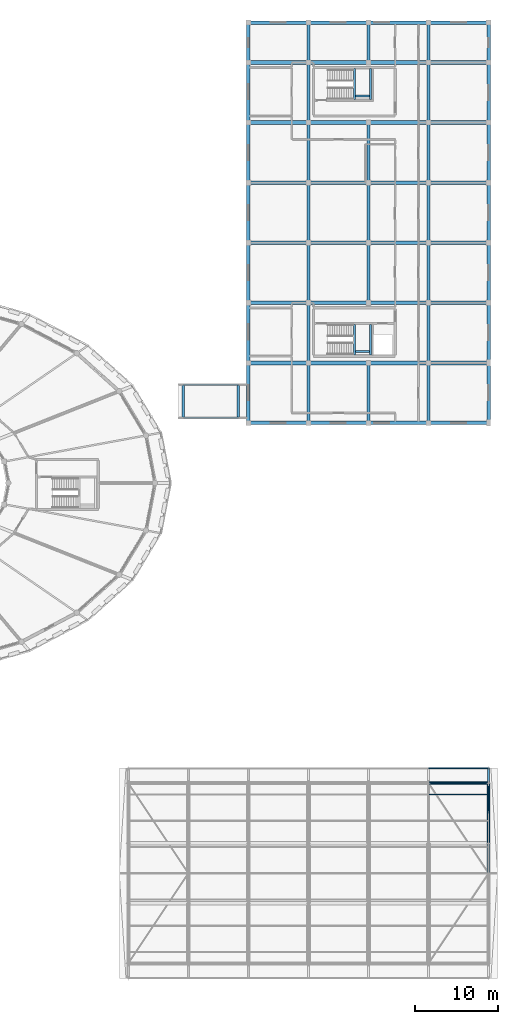
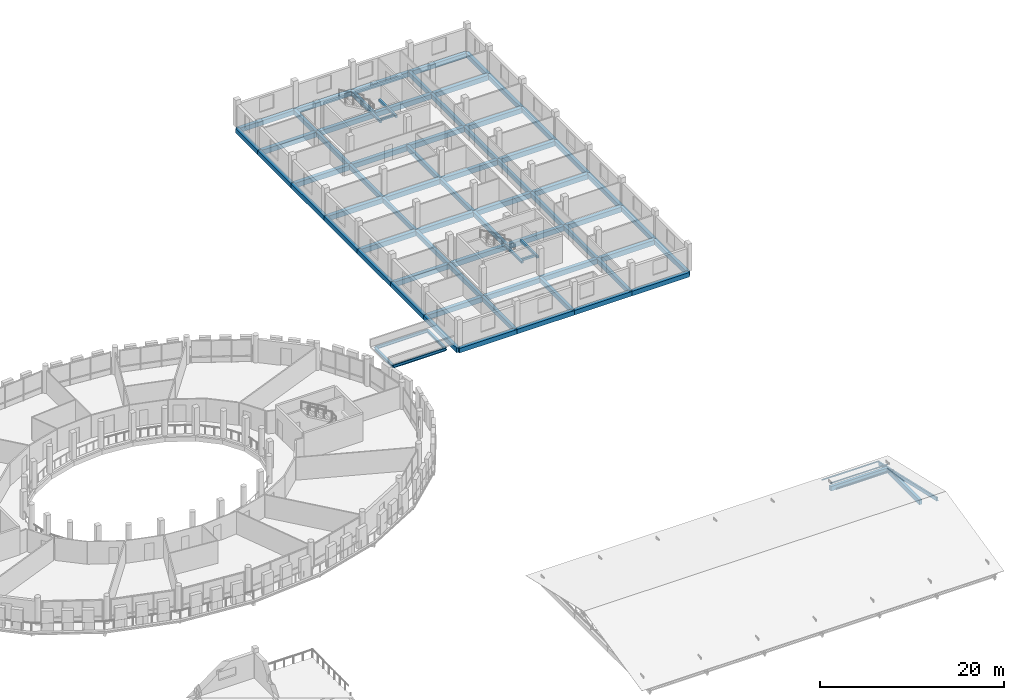
# One storey, part 59 of 93: 77 beams, 5 members.
"""IFC4 building model written with IfcOpenShell, lengths in metres."""

from ifc_helpers import new_model, si_unit, direction, frame, origin, origin_2d, place, context, subcontext, project, spatial, rectangle, hollow_rectangle, hollow_circle, i_section, extrude, material, material_profile, profile_set, type_object, element, save


model = new_model("IFC4")

# Units and contexts
model_context = context("Model", 3, precision=1e-05, world=origin(), true_north=direction((0.0, 1.0)))
body_context = subcontext(model_context, "Body", "Model", "MODEL_VIEW")
ifc_project = project(units=[si_unit("LENGTHUNIT", "METRE"), si_unit("AREAUNIT", "SQUARE_METRE"), si_unit("VOLUMEUNIT", "CUBIC_METRE"), si_unit("PLANEANGLEUNIT", "RADIAN"), si_unit("MASSUNIT", "GRAM", prefix="KILO")], contexts=[model_context])

# Site, building, storey
site_placement = place(None, origin())
site = spatial("IfcSite", under=ifc_project, at=site_placement, CompositionType="ELEMENT")
building_placement = place(site_placement, origin())
building = spatial("IfcBuilding", under=site, at=building_placement, Name="Zornivar Specialist Clinic", CompositionType="ELEMENT")
storey_placement = place(building_placement, frame((0.0, 0.0, 8.39990234375)))
storey = spatial("IfcBuildingStorey", under=building, at=storey_placement, Name="L02", CompositionType="ELEMENT", Elevation=8.39990234375)

# Beams
ifc_material_1 = material(Name="Concrete C30/37", Category="concrete")
ifc_material_profile_1 = material_profile(ifc_material_1, rectangle(XDim=0.25, YDim=0.300048828125, at=origin_2d()), Name="RC 250x300")
ifc_profile_set_1 = profile_set([ifc_material_profile_1], Name="Concrete C30/37")
beam_type_1 = type_object("IfcBeamType", Name="BM-LAND-250x300", PredefinedType="BEAM", material=ifc_profile_set_1)
for number, where, z_axis, x_axis, name in (
    (1, (149.5, 72.929931640625, 1.6201171875), (0.0, 1.0, 0.0), (-1.0, 0.0, 0.0), "bm:stair:C9:L02:lW"),
    (2, (151.4599609375, 72.929931640625, 1.6201171875), (0.0, 1.0, 0.0), (-1.0, 0.0, 0.0), "bm:stair:C9:L02:lE"),
):
    element("IfcBeam", number, at=place(storey_placement, frame(where, z_axis=z_axis, x_axis=x_axis)), inside=storey, type_object=beam_type_1, Name=name, PredefinedType="BEAM", context=body_context, shape_type="SweptSolid", body=[
        extrude(rectangle(XDim=0.25, YDim=0.300048828125, at=origin_2d()), origin(), (0.0, 0.0, 1.0), 3.670166015625),
    ])
beam_1_placement = place(storey_placement, frame((149.635009765625, 73.3798828125, 1.6201171875), z_axis=(1.0, 0.0, 0.0), x_axis=(0.0, 1.0, 0.0)))
element("IfcBeam", 3, at=beam_1_placement, inside=storey, type_object=beam_type_1, Name="bm:stair:C9:L02:lS", PredefinedType="BEAM", context=body_context, shape_type="SweptSolid", body=[
    extrude(rectangle(XDim=0.25, YDim=0.300048828125, at=origin_2d()), origin(), (0.0, 0.0, 1.0), 1.68994140625),
])
for number, where, z_axis, x_axis, name in (
    (4, (149.5, 103.60009765625, 1.6201171875), (0.0, 1.0, 0.0), (-1.0, 0.0, 0.0), "bm:stair:C10:L02:lW"),
    (5, (151.4599609375, 103.60009765625, 1.6201171875), (0.0, 1.0, 0.0), (-1.0, 0.0, 0.0), "bm:stair:C10:L02:lE"),
):
    element("IfcBeam", number, at=place(storey_placement, frame(where, z_axis=z_axis, x_axis=x_axis)), inside=storey, type_object=beam_type_1, Name=name, PredefinedType="BEAM", context=body_context, shape_type="SweptSolid", body=[
        extrude(rectangle(XDim=0.25, YDim=0.300048828125, at=origin_2d()), origin(), (0.0, 0.0, 1.0), 3.669921875),
    ])
beam_2_placement = place(storey_placement, frame((149.635009765625, 103.97998046875, 1.6201171875), z_axis=(1.0, 0.0, 0.0), x_axis=(0.0, 1.0, 0.0)))
element("IfcBeam", 6, at=beam_2_placement, inside=storey, type_object=beam_type_1, Name="bm:stair:C10:L02:lS", PredefinedType="BEAM", context=body_context, shape_type="SweptSolid", body=[
    extrude(rectangle(XDim=0.25, YDim=0.300048828125, at=origin_2d()), origin(), (0.0, 0.0, 1.0), 1.68994140625),
])
ifc_material_2 = material(Name="Concrete C30/37", Category="concrete")
ifc_material_profile_2 = material_profile(ifc_material_2, rectangle(XDim=0.360107421875, YDim=0.60009765625, at=origin_2d()), Name="RC 360x600")
ifc_profile_set_2 = profile_set([ifc_material_profile_2], Name="Concrete C30/37")
beam_type_2 = type_object("IfcBeamType", Name="BM-RC-360x600", PredefinedType="BEAM", material=ifc_profile_set_2)
for number, where, z_axis, x_axis, name in (
    (7, (144.0, 64.800048828125, -0.619873046875), (0.0, 1.0, 0.0), (-1.0, 0.0, 0.0), "bm:V6:L02:y:1440:0"),
    (8, (144.0, 72.0, -0.619873046875), (0.0, 1.0, 0.0), (-1.0, 0.0, 0.0), "bm:V6:L02:y:1440:1"),
    (9, (144.0, 79.199951171875, -0.619873046875), (0.0, 1.0, 0.0), (-1.0, 0.0, 0.0), "bm:V6:L02:y:1440:2"),
):
    element("IfcBeam", number, at=place(storey_placement, frame(where, z_axis=z_axis, x_axis=x_axis)), inside=storey, type_object=beam_type_2, Name=name, PredefinedType="BEAM", context=body_context, shape_type="SweptSolid", body=[
        extrude(rectangle(XDim=0.360107421875, YDim=0.60009765625, at=origin_2d()), origin(), (0.0, 0.0, 1.0), 7.199951171875),
    ])
beam_3_placement = place(storey_placement, frame((144.0, 86.39990234375, -0.619873046875), z_axis=(0.0, 1.0, 0.0), x_axis=(-1.0, 0.0, 0.0)))
element("IfcBeam", 10, at=beam_3_placement, inside=storey, type_object=beam_type_2, Name="bm:V6:L02:y:1440:3", PredefinedType="BEAM", context=body_context, shape_type="SweptSolid", body=[
    extrude(rectangle(XDim=0.360107421875, YDim=0.60009765625, at=origin_2d()), origin(), (0.0, 0.0, 1.0), 7.2001953125),
])
for number, where, z_axis, x_axis, name in (
    (11, (144.0, 93.60009765625, -0.619873046875), (0.0, 1.0, 0.0), (-1.0, 0.0, 0.0), "bm:V6:L02:y:1440:4"),
    (12, (144.0, 100.800048828125, -0.619873046875), (0.0, 1.0, 0.0), (-1.0, 0.0, 0.0), "bm:V6:L02:y:1440:5"),
):
    element("IfcBeam", number, at=place(storey_placement, frame(where, z_axis=z_axis, x_axis=x_axis)), inside=storey, type_object=beam_type_2, Name=name, PredefinedType="BEAM", context=body_context, shape_type="SweptSolid", body=[
        extrude(rectangle(XDim=0.360107421875, YDim=0.60009765625, at=origin_2d()), origin(), (0.0, 0.0, 1.0), 7.199951171875),
    ])
beam_4_placement = place(storey_placement, frame((144.0, 108.0, -0.619873046875), z_axis=(0.0, 1.0, 0.0), x_axis=(-1.0, 0.0, 0.0)))
element("IfcBeam", 13, at=beam_4_placement, inside=storey, type_object=beam_type_2, Name="bm:V6:L02:y:1440:6", PredefinedType="BEAM", context=body_context, shape_type="SweptSolid", body=[
    extrude(rectangle(XDim=0.360107421875, YDim=0.60009765625, at=origin_2d()), origin(), (0.0, 0.0, 1.0), 4.800048828125),
])
for number, where, z_axis, x_axis, name in (
    (14, (151.199951171875, 64.800048828125, -0.619873046875), (0.0, 1.0, 0.0), (-1.0, 0.0, 0.0), "bm:V6:L02:y:1512:0"),
    (15, (151.199951171875, 79.199951171875, -0.619873046875), (0.0, 1.0, 0.0), (-1.0, 0.0, 0.0), "bm:V6:L02:y:1512:2"),
):
    element("IfcBeam", number, at=place(storey_placement, frame(where, z_axis=z_axis, x_axis=x_axis)), inside=storey, type_object=beam_type_2, Name=name, PredefinedType="BEAM", context=body_context, shape_type="SweptSolid", body=[
        extrude(rectangle(XDim=0.360107421875, YDim=0.60009765625, at=origin_2d()), origin(), (0.0, 0.0, 1.0), 7.199951171875),
    ])
beam_5_placement = place(storey_placement, frame((151.199951171875, 86.39990234375, -0.619873046875), z_axis=(0.0, 1.0, 0.0), x_axis=(-1.0, 0.0, 0.0)))
element("IfcBeam", 16, at=beam_5_placement, inside=storey, type_object=beam_type_2, Name="bm:V6:L02:y:1512:3", PredefinedType="BEAM", context=body_context, shape_type="SweptSolid", body=[
    extrude(rectangle(XDim=0.360107421875, YDim=0.60009765625, at=origin_2d()), origin(), (0.0, 0.0, 1.0), 7.2001953125),
])
beam_6_placement = place(storey_placement, frame((151.199951171875, 93.60009765625, -0.619873046875), z_axis=(0.0, 1.0, 0.0), x_axis=(-1.0, 0.0, 0.0)))
element("IfcBeam", 17, at=beam_6_placement, inside=storey, type_object=beam_type_2, Name="bm:V6:L02:y:1512:4", PredefinedType="BEAM", context=body_context, shape_type="SweptSolid", body=[
    extrude(rectangle(XDim=0.360107421875, YDim=0.60009765625, at=origin_2d()), origin(), (0.0, 0.0, 1.0), 7.199951171875),
])
beam_7_placement = place(storey_placement, frame((151.199951171875, 108.0, -0.619873046875), z_axis=(0.0, 1.0, 0.0), x_axis=(-1.0, 0.0, 0.0)))
element("IfcBeam", 18, at=beam_7_placement, inside=storey, type_object=beam_type_2, Name="bm:V6:L02:y:1512:6", PredefinedType="BEAM", context=body_context, shape_type="SweptSolid", body=[
    extrude(rectangle(XDim=0.360107421875, YDim=0.60009765625, at=origin_2d()), origin(), (0.0, 0.0, 1.0), 4.800048828125),
])
for number, where, z_axis, x_axis, name in (
    (19, (158.39990234375, 64.800048828125, -0.619873046875), (0.0, 1.0, 0.0), (-1.0, 0.0, 0.0), "bm:V6:L02:y:1584:0"),
    (20, (158.39990234375, 72.0, -0.619873046875), (0.0, 1.0, 0.0), (-1.0, 0.0, 0.0), "bm:V6:L02:y:1584:1"),
    (21, (158.39990234375, 79.199951171875, -0.619873046875), (0.0, 1.0, 0.0), (-1.0, 0.0, 0.0), "bm:V6:L02:y:1584:2"),
):
    element("IfcBeam", number, at=place(storey_placement, frame(where, z_axis=z_axis, x_axis=x_axis)), inside=storey, type_object=beam_type_2, Name=name, PredefinedType="BEAM", context=body_context, shape_type="SweptSolid", body=[
        extrude(rectangle(XDim=0.360107421875, YDim=0.60009765625, at=origin_2d()), origin(), (0.0, 0.0, 1.0), 7.199951171875),
    ])
beam_8_placement = place(storey_placement, frame((158.39990234375, 86.39990234375, -0.619873046875), z_axis=(0.0, 1.0, 0.0), x_axis=(-1.0, 0.0, 0.0)))
element("IfcBeam", 22, at=beam_8_placement, inside=storey, type_object=beam_type_2, Name="bm:V6:L02:y:1584:3", PredefinedType="BEAM", context=body_context, shape_type="SweptSolid", body=[
    extrude(rectangle(XDim=0.360107421875, YDim=0.60009765625, at=origin_2d()), origin(), (0.0, 0.0, 1.0), 7.2001953125),
])
for number, where, z_axis, x_axis, name in (
    (23, (158.39990234375, 93.60009765625, -0.619873046875), (0.0, 1.0, 0.0), (-1.0, 0.0, 0.0), "bm:V6:L02:y:1584:4"),
    (24, (158.39990234375, 100.800048828125, -0.619873046875), (0.0, 1.0, 0.0), (-1.0, 0.0, 0.0), "bm:V6:L02:y:1584:5"),
):
    element("IfcBeam", number, at=place(storey_placement, frame(where, z_axis=z_axis, x_axis=x_axis)), inside=storey, type_object=beam_type_2, Name=name, PredefinedType="BEAM", context=body_context, shape_type="SweptSolid", body=[
        extrude(rectangle(XDim=0.360107421875, YDim=0.60009765625, at=origin_2d()), origin(), (0.0, 0.0, 1.0), 7.199951171875),
    ])
beam_9_placement = place(storey_placement, frame((158.39990234375, 108.0, -0.619873046875), z_axis=(0.0, 1.0, 0.0), x_axis=(-1.0, 0.0, 0.0)))
element("IfcBeam", 25, at=beam_9_placement, inside=storey, type_object=beam_type_2, Name="bm:V6:L02:y:1584:6", PredefinedType="BEAM", context=body_context, shape_type="SweptSolid", body=[
    extrude(rectangle(XDim=0.360107421875, YDim=0.60009765625, at=origin_2d()), origin(), (0.0, 0.0, 1.0), 4.800048828125),
])
ifc_material_3 = material(Name="Concrete C30/37", Category="concrete")
ifc_material_profile_3 = material_profile(ifc_material_3, rectangle(XDim=0.4599609375, YDim=0.64990234375, at=origin_2d()), Name="RC 460x650")
ifc_profile_set_3 = profile_set([ifc_material_profile_3], Name="Concrete C30/37")
beam_type_3 = type_object("IfcBeamType", Name="BM-RC-460x650", PredefinedType="BEAM", material=ifc_profile_set_3)
for number, where, z_axis, x_axis, name in (
    (26, (136.800048828125, 72.0, -0.64501953125), (1.0, 0.0, 0.0), (0.0, 1.0, 0.0), "bm:V6:L02:x:720:0"),
    (27, (144.0, 72.0, -0.64501953125), (1.0, 0.0, 0.0), (0.0, 1.0, 0.0), "bm:V6:L02:x:720:1"),
    (28, (151.199951171875, 72.0, -0.64501953125), (1.0, 0.0, 0.0), (0.0, 1.0, 0.0), "bm:V6:L02:x:720:2"),
):
    element("IfcBeam", number, at=place(storey_placement, frame(where, z_axis=z_axis, x_axis=x_axis)), inside=storey, type_object=beam_type_3, Name=name, PredefinedType="BEAM", context=body_context, shape_type="SweptSolid", body=[
        extrude(rectangle(XDim=0.4599609375, YDim=0.64990234375, at=origin_2d()), origin(), (0.0, 0.0, 1.0), 7.199951171875),
    ])
beam_10_placement = place(storey_placement, frame((158.39990234375, 72.0, -0.64501953125), z_axis=(1.0, 0.0, 0.0), x_axis=(0.0, 1.0, 0.0)))
element("IfcBeam", 29, at=beam_10_placement, inside=storey, type_object=beam_type_3, Name="bm:V6:L02:x:720:3", PredefinedType="BEAM", context=body_context, shape_type="SweptSolid", body=[
    extrude(rectangle(XDim=0.4599609375, YDim=0.64990234375, at=origin_2d()), origin(), (0.0, 0.0, 1.0), 7.2001953125),
])
for number, where, z_axis, x_axis, name in (
    (30, (136.800048828125, 79.199951171875, -0.64501953125), (1.0, 0.0, 0.0), (0.0, 1.0, 0.0), "bm:V6:L02:x:792:0"),
    (31, (144.0, 79.199951171875, -0.64501953125), (1.0, 0.0, 0.0), (0.0, 1.0, 0.0), "bm:V6:L02:x:792:1"),
    (32, (151.199951171875, 79.199951171875, -0.64501953125), (1.0, 0.0, 0.0), (0.0, 1.0, 0.0), "bm:V6:L02:x:792:2"),
):
    element("IfcBeam", number, at=place(storey_placement, frame(where, z_axis=z_axis, x_axis=x_axis)), inside=storey, type_object=beam_type_3, Name=name, PredefinedType="BEAM", context=body_context, shape_type="SweptSolid", body=[
        extrude(rectangle(XDim=0.4599609375, YDim=0.64990234375, at=origin_2d()), origin(), (0.0, 0.0, 1.0), 7.199951171875),
    ])
beam_11_placement = place(storey_placement, frame((158.39990234375, 79.199951171875, -0.64501953125), z_axis=(1.0, 0.0, 0.0), x_axis=(0.0, 1.0, 0.0)))
element("IfcBeam", 33, at=beam_11_placement, inside=storey, type_object=beam_type_3, Name="bm:V6:L02:x:792:3", PredefinedType="BEAM", context=body_context, shape_type="SweptSolid", body=[
    extrude(rectangle(XDim=0.4599609375, YDim=0.64990234375, at=origin_2d()), origin(), (0.0, 0.0, 1.0), 7.2001953125),
])
for number, where, z_axis, x_axis, name in (
    (34, (136.800048828125, 86.39990234375, -0.64501953125), (1.0, 0.0, 0.0), (0.0, 1.0, 0.0), "bm:V6:L02:x:864:0"),
    (35, (144.0, 86.39990234375, -0.64501953125), (1.0, 0.0, 0.0), (0.0, 1.0, 0.0), "bm:V6:L02:x:864:1"),
    (36, (151.199951171875, 86.39990234375, -0.64501953125), (1.0, 0.0, 0.0), (0.0, 1.0, 0.0), "bm:V6:L02:x:864:2"),
):
    element("IfcBeam", number, at=place(storey_placement, frame(where, z_axis=z_axis, x_axis=x_axis)), inside=storey, type_object=beam_type_3, Name=name, PredefinedType="BEAM", context=body_context, shape_type="SweptSolid", body=[
        extrude(rectangle(XDim=0.4599609375, YDim=0.64990234375, at=origin_2d()), origin(), (0.0, 0.0, 1.0), 7.199951171875),
    ])
beam_12_placement = place(storey_placement, frame((158.39990234375, 86.39990234375, -0.64501953125), z_axis=(1.0, 0.0, 0.0), x_axis=(0.0, 1.0, 0.0)))
element("IfcBeam", 37, at=beam_12_placement, inside=storey, type_object=beam_type_3, Name="bm:V6:L02:x:864:3", PredefinedType="BEAM", context=body_context, shape_type="SweptSolid", body=[
    extrude(rectangle(XDim=0.4599609375, YDim=0.64990234375, at=origin_2d()), origin(), (0.0, 0.0, 1.0), 7.2001953125),
])
for number, where, z_axis, x_axis, name in (
    (38, (136.800048828125, 93.60009765625, -0.64501953125), (1.0, 0.0, 0.0), (0.0, 1.0, 0.0), "bm:V6:L02:x:936:0"),
    (39, (144.0, 93.60009765625, -0.64501953125), (1.0, 0.0, 0.0), (0.0, 1.0, 0.0), "bm:V6:L02:x:936:1"),
    (40, (151.199951171875, 93.60009765625, -0.64501953125), (1.0, 0.0, 0.0), (0.0, 1.0, 0.0), "bm:V6:L02:x:936:2"),
):
    element("IfcBeam", number, at=place(storey_placement, frame(where, z_axis=z_axis, x_axis=x_axis)), inside=storey, type_object=beam_type_3, Name=name, PredefinedType="BEAM", context=body_context, shape_type="SweptSolid", body=[
        extrude(rectangle(XDim=0.4599609375, YDim=0.64990234375, at=origin_2d()), origin(), (0.0, 0.0, 1.0), 7.199951171875),
    ])
beam_13_placement = place(storey_placement, frame((158.39990234375, 93.60009765625, -0.64501953125), z_axis=(1.0, 0.0, 0.0), x_axis=(0.0, 1.0, 0.0)))
element("IfcBeam", 41, at=beam_13_placement, inside=storey, type_object=beam_type_3, Name="bm:V6:L02:x:936:3", PredefinedType="BEAM", context=body_context, shape_type="SweptSolid", body=[
    extrude(rectangle(XDim=0.4599609375, YDim=0.64990234375, at=origin_2d()), origin(), (0.0, 0.0, 1.0), 7.2001953125),
])
for number, where, z_axis, x_axis, name in (
    (42, (136.800048828125, 100.800048828125, -0.64501953125), (1.0, 0.0, 0.0), (0.0, 1.0, 0.0), "bm:V6:L02:x:1008:0"),
    (43, (144.0, 100.800048828125, -0.64501953125), (1.0, 0.0, 0.0), (0.0, 1.0, 0.0), "bm:V6:L02:x:1008:1"),
    (44, (151.199951171875, 100.800048828125, -0.64501953125), (1.0, 0.0, 0.0), (0.0, 1.0, 0.0), "bm:V6:L02:x:1008:2"),
):
    element("IfcBeam", number, at=place(storey_placement, frame(where, z_axis=z_axis, x_axis=x_axis)), inside=storey, type_object=beam_type_3, Name=name, PredefinedType="BEAM", context=body_context, shape_type="SweptSolid", body=[
        extrude(rectangle(XDim=0.4599609375, YDim=0.64990234375, at=origin_2d()), origin(), (0.0, 0.0, 1.0), 7.199951171875),
    ])
beam_14_placement = place(storey_placement, frame((158.39990234375, 100.800048828125, -0.64501953125), z_axis=(1.0, 0.0, 0.0), x_axis=(0.0, 1.0, 0.0)))
element("IfcBeam", 45, at=beam_14_placement, inside=storey, type_object=beam_type_3, Name="bm:V6:L02:x:1008:3", PredefinedType="BEAM", context=body_context, shape_type="SweptSolid", body=[
    extrude(rectangle(XDim=0.4599609375, YDim=0.64990234375, at=origin_2d()), origin(), (0.0, 0.0, 1.0), 7.2001953125),
])
for number, where, z_axis, x_axis, name in (
    (46, (136.800048828125, 108.0, -0.64501953125), (1.0, 0.0, 0.0), (0.0, 1.0, 0.0), "bm:V6:L02:x:1080:0"),
    (47, (144.0, 108.0, -0.64501953125), (1.0, 0.0, 0.0), (0.0, 1.0, 0.0), "bm:V6:L02:x:1080:1"),
    (48, (151.199951171875, 108.0, -0.64501953125), (1.0, 0.0, 0.0), (0.0, 1.0, 0.0), "bm:V6:L02:x:1080:2"),
):
    element("IfcBeam", number, at=place(storey_placement, frame(where, z_axis=z_axis, x_axis=x_axis)), inside=storey, type_object=beam_type_3, Name=name, PredefinedType="BEAM", context=body_context, shape_type="SweptSolid", body=[
        extrude(rectangle(XDim=0.4599609375, YDim=0.64990234375, at=origin_2d()), origin(), (0.0, 0.0, 1.0), 7.199951171875),
    ])
beam_15_placement = place(storey_placement, frame((158.39990234375, 108.0, -0.64501953125), z_axis=(1.0, 0.0, 0.0), x_axis=(0.0, 1.0, 0.0)))
element("IfcBeam", 49, at=beam_15_placement, inside=storey, type_object=beam_type_3, Name="bm:V6:L02:x:1080:3", PredefinedType="BEAM", context=body_context, shape_type="SweptSolid", body=[
    extrude(rectangle(XDim=0.4599609375, YDim=0.64990234375, at=origin_2d()), origin(), (0.0, 0.0, 1.0), 7.2001953125),
])
ifc_material_4 = material(Name="Concrete C30/37", Category="concrete")
ifc_material_profile_4 = material_profile(ifc_material_4, rectangle(XDim=0.35009765625, YDim=0.60009765625, at=origin_2d()), Name="RC 350x600")
ifc_profile_set_4 = profile_set([ifc_material_profile_4], Name="Concrete C30/37")
beam_type_4 = type_object("IfcBeamType", Name="BM-RC-SPANDREL-350x600", PredefinedType="SPANDREL", material=ifc_profile_set_4)
for number, where, z_axis, x_axis, name in (
    (50, (158.39990234375, 21.60009765625, -0.2998046875), (1.0, 0.0, 0.0), (0.0, 1.0, 0.0), "bm:V4:L02:x:216:5"),
    (51, (165.60009765625, 14.39990234375, -0.2998046875), (0.0, 1.0, 0.0), (-1.0, 0.0, 0.0), "bm:V4:L02:y:1656:2"),
):
    element("IfcBeam", number, at=place(storey_placement, frame(where, z_axis=z_axis, x_axis=x_axis)), inside=storey, type_object=beam_type_4, Name=name, PredefinedType="SPANDREL", context=body_context, shape_type="SweptSolid", body=[
        extrude(rectangle(XDim=0.35009765625, YDim=0.60009765625, at=origin_2d()), origin(), (0.0, 0.0, 1.0), 7.2001953125),
    ])
ifc_material_5 = material(Name="Concrete C30/37", Category="concrete")
ifc_material_profile_5 = material_profile(ifc_material_5, rectangle(XDim=0.419921875, YDim=0.60009765625, at=origin_2d()), Name="RC 420x600")
ifc_profile_set_5 = profile_set([ifc_material_profile_5], Name="Concrete C30/37")
beam_type_5 = type_object("IfcBeamType", Name="BM-RC-SPANDREL-420x600", PredefinedType="SPANDREL", material=ifc_profile_set_5)
for number, where, z_axis, x_axis, name in (
    (52, (136.800048828125, 64.800048828125, -0.619873046875), (1.0, 0.0, 0.0), (0.0, 1.0, 0.0), "bm:V6:L02:x:648:0"),
    (53, (144.0, 64.800048828125, -0.619873046875), (1.0, 0.0, 0.0), (0.0, 1.0, 0.0), "bm:V6:L02:x:648:1"),
    (54, (151.199951171875, 64.800048828125, -0.619873046875), (1.0, 0.0, 0.0), (0.0, 1.0, 0.0), "bm:V6:L02:x:648:2"),
):
    element("IfcBeam", number, at=place(storey_placement, frame(where, z_axis=z_axis, x_axis=x_axis)), inside=storey, type_object=beam_type_5, Name=name, PredefinedType="SPANDREL", context=body_context, shape_type="SweptSolid", body=[
        extrude(rectangle(XDim=0.419921875, YDim=0.60009765625, at=origin_2d()), origin(), (0.0, 0.0, 1.0), 7.199951171875),
    ])
beam_16_placement = place(storey_placement, frame((158.39990234375, 64.800048828125, -0.619873046875), z_axis=(1.0, 0.0, 0.0), x_axis=(0.0, 1.0, 0.0)))
element("IfcBeam", 55, at=beam_16_placement, inside=storey, type_object=beam_type_5, Name="bm:V6:L02:x:648:3", PredefinedType="SPANDREL", context=body_context, shape_type="SweptSolid", body=[
    extrude(rectangle(XDim=0.419921875, YDim=0.60009765625, at=origin_2d()), origin(), (0.0, 0.0, 1.0), 7.2001953125),
])
for number, where, z_axis, x_axis, name in (
    (56, (136.800048828125, 112.800048828125, -0.619873046875), (1.0, 0.0, 0.0), (0.0, 1.0, 0.0), "bm:V6:L02:x:1128:0"),
    (57, (144.0, 112.800048828125, -0.619873046875), (1.0, 0.0, 0.0), (0.0, 1.0, 0.0), "bm:V6:L02:x:1128:1"),
    (58, (151.199951171875, 112.800048828125, -0.619873046875), (1.0, 0.0, 0.0), (0.0, 1.0, 0.0), "bm:V6:L02:x:1128:2"),
):
    element("IfcBeam", number, at=place(storey_placement, frame(where, z_axis=z_axis, x_axis=x_axis)), inside=storey, type_object=beam_type_5, Name=name, PredefinedType="SPANDREL", context=body_context, shape_type="SweptSolid", body=[
        extrude(rectangle(XDim=0.419921875, YDim=0.60009765625, at=origin_2d()), origin(), (0.0, 0.0, 1.0), 7.199951171875),
    ])
beam_17_placement = place(storey_placement, frame((158.39990234375, 112.800048828125, -0.619873046875), z_axis=(1.0, 0.0, 0.0), x_axis=(0.0, 1.0, 0.0)))
element("IfcBeam", 59, at=beam_17_placement, inside=storey, type_object=beam_type_5, Name="bm:V6:L02:x:1128:3", PredefinedType="SPANDREL", context=body_context, shape_type="SweptSolid", body=[
    extrude(rectangle(XDim=0.419921875, YDim=0.60009765625, at=origin_2d()), origin(), (0.0, 0.0, 1.0), 7.2001953125),
])
for number, where, z_axis, x_axis, name in (
    (60, (136.800048828125, 64.800048828125, -0.619873046875), (0.0, 1.0, 0.0), (-1.0, 0.0, 0.0), "bm:V6:L02:y:1368:0"),
    (61, (136.800048828125, 72.0, -0.619873046875), (0.0, 1.0, 0.0), (-1.0, 0.0, 0.0), "bm:V6:L02:y:1368:1"),
    (62, (136.800048828125, 79.199951171875, -0.619873046875), (0.0, 1.0, 0.0), (-1.0, 0.0, 0.0), "bm:V6:L02:y:1368:2"),
):
    element("IfcBeam", number, at=place(storey_placement, frame(where, z_axis=z_axis, x_axis=x_axis)), inside=storey, type_object=beam_type_5, Name=name, PredefinedType="SPANDREL", context=body_context, shape_type="SweptSolid", body=[
        extrude(rectangle(XDim=0.419921875, YDim=0.60009765625, at=origin_2d()), origin(), (0.0, 0.0, 1.0), 7.199951171875),
    ])
beam_18_placement = place(storey_placement, frame((136.800048828125, 86.39990234375, -0.619873046875), z_axis=(0.0, 1.0, 0.0), x_axis=(-1.0, 0.0, 0.0)))
element("IfcBeam", 63, at=beam_18_placement, inside=storey, type_object=beam_type_5, Name="bm:V6:L02:y:1368:3", PredefinedType="SPANDREL", context=body_context, shape_type="SweptSolid", body=[
    extrude(rectangle(XDim=0.419921875, YDim=0.60009765625, at=origin_2d()), origin(), (0.0, 0.0, 1.0), 7.2001953125),
])
for number, where, z_axis, x_axis, name in (
    (64, (136.800048828125, 93.60009765625, -0.619873046875), (0.0, 1.0, 0.0), (-1.0, 0.0, 0.0), "bm:V6:L02:y:1368:4"),
    (65, (136.800048828125, 100.800048828125, -0.619873046875), (0.0, 1.0, 0.0), (-1.0, 0.0, 0.0), "bm:V6:L02:y:1368:5"),
):
    element("IfcBeam", number, at=place(storey_placement, frame(where, z_axis=z_axis, x_axis=x_axis)), inside=storey, type_object=beam_type_5, Name=name, PredefinedType="SPANDREL", context=body_context, shape_type="SweptSolid", body=[
        extrude(rectangle(XDim=0.419921875, YDim=0.60009765625, at=origin_2d()), origin(), (0.0, 0.0, 1.0), 7.199951171875),
    ])
beam_19_placement = place(storey_placement, frame((136.800048828125, 108.0, -0.619873046875), z_axis=(0.0, 1.0, 0.0), x_axis=(-1.0, 0.0, 0.0)))
element("IfcBeam", 66, at=beam_19_placement, inside=storey, type_object=beam_type_5, Name="bm:V6:L02:y:1368:6", PredefinedType="SPANDREL", context=body_context, shape_type="SweptSolid", body=[
    extrude(rectangle(XDim=0.419921875, YDim=0.60009765625, at=origin_2d()), origin(), (0.0, 0.0, 1.0), 4.800048828125),
])
for number, where, z_axis, x_axis, name in (
    (67, (165.60009765625, 64.800048828125, -0.619873046875), (0.0, 1.0, 0.0), (-1.0, 0.0, 0.0), "bm:V6:L02:y:1656:0"),
    (68, (165.60009765625, 72.0, -0.619873046875), (0.0, 1.0, 0.0), (-1.0, 0.0, 0.0), "bm:V6:L02:y:1656:1"),
    (69, (165.60009765625, 79.199951171875, -0.619873046875), (0.0, 1.0, 0.0), (-1.0, 0.0, 0.0), "bm:V6:L02:y:1656:2"),
):
    element("IfcBeam", number, at=place(storey_placement, frame(where, z_axis=z_axis, x_axis=x_axis)), inside=storey, type_object=beam_type_5, Name=name, PredefinedType="SPANDREL", context=body_context, shape_type="SweptSolid", body=[
        extrude(rectangle(XDim=0.419921875, YDim=0.60009765625, at=origin_2d()), origin(), (0.0, 0.0, 1.0), 7.199951171875),
    ])
beam_20_placement = place(storey_placement, frame((165.60009765625, 86.39990234375, -0.619873046875), z_axis=(0.0, 1.0, 0.0), x_axis=(-1.0, 0.0, 0.0)))
element("IfcBeam", 70, at=beam_20_placement, inside=storey, type_object=beam_type_5, Name="bm:V6:L02:y:1656:3", PredefinedType="SPANDREL", context=body_context, shape_type="SweptSolid", body=[
    extrude(rectangle(XDim=0.419921875, YDim=0.60009765625, at=origin_2d()), origin(), (0.0, 0.0, 1.0), 7.2001953125),
])
for number, where, z_axis, x_axis, name in (
    (71, (165.60009765625, 93.60009765625, -0.619873046875), (0.0, 1.0, 0.0), (-1.0, 0.0, 0.0), "bm:V6:L02:y:1656:4"),
    (72, (165.60009765625, 100.800048828125, -0.619873046875), (0.0, 1.0, 0.0), (-1.0, 0.0, 0.0), "bm:V6:L02:y:1656:5"),
):
    element("IfcBeam", number, at=place(storey_placement, frame(where, z_axis=z_axis, x_axis=x_axis)), inside=storey, type_object=beam_type_5, Name=name, PredefinedType="SPANDREL", context=body_context, shape_type="SweptSolid", body=[
        extrude(rectangle(XDim=0.419921875, YDim=0.60009765625, at=origin_2d()), origin(), (0.0, 0.0, 1.0), 7.199951171875),
    ])
beam_21_placement = place(storey_placement, frame((165.60009765625, 108.0, -0.619873046875), z_axis=(0.0, 1.0, 0.0), x_axis=(-1.0, 0.0, 0.0)))
element("IfcBeam", 73, at=beam_21_placement, inside=storey, type_object=beam_type_5, Name="bm:V6:L02:y:1656:6", PredefinedType="SPANDREL", context=body_context, shape_type="SweptSolid", body=[
    extrude(rectangle(XDim=0.419921875, YDim=0.60009765625, at=origin_2d()), origin(), (0.0, 0.0, 1.0), 4.800048828125),
])
ifc_material_6 = material(Name="Steel S355J2", Category="steel")
ifc_material_profile_6 = material_profile(ifc_material_6, i_section(OverallWidth=0.300048828125, OverallDepth=0.31005859375, WebThickness=0.009033203125, FlangeThickness=0.015380859375, FilletRadius=0.027099609375, at=origin_2d()), Name="HEA 320")
ifc_profile_set_6 = profile_set([ifc_material_profile_6], Name="Steel S355J2")
beam_type_6 = type_object("IfcBeamType", Name="BM-STL-HEA320", PredefinedType="BEAM", material=ifc_profile_set_6)
for number, where, z_axis, x_axis, name in (
    (74, (129.0, 65.39990234375, -0.419921875), (0.0, 1.0, 0.0), (-1.0, 0.0, 0.0), "bm:BR3:L02:t:1290"),
    (75, (135.60009765625, 65.39990234375, -0.419921875), (0.0, 1.0, 0.0), (-1.0, 0.0, 0.0), "bm:BR3:L02:t:1356"),
):
    element("IfcBeam", number, at=place(storey_placement, frame(where, z_axis=z_axis, x_axis=x_axis)), inside=storey, type_object=beam_type_6, Name=name, PredefinedType="BEAM", context=body_context, shape_type="SweptSolid", body=[
        extrude(i_section(OverallWidth=0.300048828125, OverallDepth=0.31005859375, WebThickness=0.009033203125, FlangeThickness=0.015380859375, FilletRadius=0.027099609375, at=origin_2d()), origin(), (0.0, 0.0, 1.0), 4.0),
    ])
ifc_material_7 = material(Name="Steel S355J2", Category="steel")
ifc_material_profile_7 = material_profile(ifc_material_7, i_section(OverallWidth=0.179931640625, OverallDepth=0.39990234375, WebThickness=0.008544921875, FlangeThickness=0.013427734375, FilletRadius=0.02099609375, at=origin_2d()), Name="IPE 400")
ifc_profile_set_7 = profile_set([ifc_material_profile_7], Name="Steel S355J2")
beam_type_7 = type_object("IfcBeamType", Name="BM-STL-IPE400", PredefinedType="BEAM", material=ifc_profile_set_7)
for number, where, z_axis, x_axis, name in (
    (76, (129.0, 65.39990234375, -0.419921875), (1.0, 0.0, 0.0), (0.0, 1.0, 0.0), "bm:BR3:L02:g:654:0"),
    (77, (129.0, 69.39990234375, -0.419921875), (1.0, 0.0, 0.0), (0.0, 1.0, 0.0), "bm:BR3:L02:g:694:0"),
):
    element("IfcBeam", number, at=place(storey_placement, frame(where, z_axis=z_axis, x_axis=x_axis)), inside=storey, type_object=beam_type_7, Name=name, PredefinedType="BEAM", context=body_context, shape_type="SweptSolid", body=[
        extrude(i_section(OverallWidth=0.179931640625, OverallDepth=0.39990234375, WebThickness=0.008544921875, FlangeThickness=0.013427734375, FilletRadius=0.02099609375, at=origin_2d()), origin(), (0.0, 0.0, 1.0), 6.60009765625),
    ])

# Members
ifc_material_8 = material(Name="Steel S355J2", Category="steel")
ifc_material_profile_8 = material_profile(ifc_material_8, hollow_circle(Radius=0.06982421875, WallThickness=0.010009765625, at=origin_2d()), Name="CHS 139.7x10")
ifc_profile_set_8 = profile_set([ifc_material_profile_8], Name="Steel S355J2")
member_type_1 = type_object("IfcMemberType", Name="MEM-DIAG-CHS140H", PredefinedType="BRACE", material=ifc_profile_set_8)
member_1_placement = place(storey_placement, frame((165.60009765625, 18.0, 0.340087890625), z_axis=(0.0, 0.988817004891, -0.149133935906), x_axis=(-1.0, 0.0, 0.0)))
element("IfcMember", 78, at=member_1_placement, inside=storey, type_object=member_type_1, Name="mem:V4:L02:diag:6:N:2", PredefinedType="BRACE", context=body_context, shape_type="SweptSolid", body=[
    extrude(hollow_circle(Radius=0.06982421875, WallThickness=0.010009765625, at=origin_2d()), origin(), (0.0, 0.0, 1.0), 3.640869140625),
])
ifc_material_9 = material(Name="Steel S355J2", Category="steel")
ifc_material_profile_9 = material_profile(ifc_material_9, hollow_rectangle(XDim=0.080078125, YDim=0.159912109375, WallThickness=0.008056640625, at=origin_2d()), Name="RHS 160x80x8")
ifc_profile_set_9 = profile_set([ifc_material_profile_9], Name="Steel S355J2")
member_type_2 = type_object("IfcMemberType", Name="MEM-EAVE-RHS160", PredefinedType="USERDEFINED", material=ifc_profile_set_9)
member_2_placement = place(storey_placement, frame((158.39990234375, 23.39990234375, -0.305908203125), z_axis=(1.0, 0.0, 0.0), x_axis=(0.0, 1.0, 0.0)))
element("IfcMember", 79, at=member_2_placement, inside=storey, type_object=member_type_2, Name="mem:V4:L02:purl:5:08", ObjectType="EAVE RAFTER", PredefinedType="USERDEFINED", context=body_context, shape_type="SweptSolid", body=[
    extrude(hollow_rectangle(XDim=0.080078125, YDim=0.159912109375, WallThickness=0.008056640625, at=origin_2d()), origin(), (0.0, 0.0, 1.0), 7.2001953125),
])
ifc_material_10 = material(Name="Steel S355J2", Category="steel")
ifc_material_profile_10 = material_profile(ifc_material_10, i_section(OverallWidth=0.10009765625, OverallDepth=0.199951171875, WebThickness=0.005615234375, FlangeThickness=0.008544921875, FilletRadius=0.011962890625, at=origin_2d()), Name="IPE 200")
ifc_profile_set_10 = profile_set([ifc_material_profile_10], Name="Steel S355J2")
member_type_3 = type_object("IfcMemberType", Name="MEM-PURLIN-IPE200", PredefinedType="PURLIN", material=ifc_profile_set_10)
member_3_placement = place(storey_placement, frame((158.39990234375, 20.25, 0.419189453125), z_axis=(1.0, 0.0, 0.0), x_axis=(0.0, 1.0, 0.0)))
element("IfcMember", 80, at=member_3_placement, inside=storey, type_object=member_type_3, Name="mem:V4:L02:purl:5:07", PredefinedType="PURLIN", context=body_context, shape_type="SweptSolid", body=[
    extrude(i_section(OverallWidth=0.10009765625, OverallDepth=0.199951171875, WebThickness=0.005615234375, FlangeThickness=0.008544921875, FilletRadius=0.011962890625, at=origin_2d()), origin(), (0.0, 0.0, 1.0), 7.2001953125),
])
ifc_material_11 = material(Name="Glulam GL28h", Category="wood")
ifc_material_profile_11 = material_profile(ifc_material_11, rectangle(XDim=0.199951171875, YDim=0.43994140625, at=origin_2d()), Name="GL28h 200x440")
ifc_profile_set_11 = profile_set([ifc_material_profile_11], Name="Glulam GL28h")
member_type_4 = type_object("IfcMemberType", Name="MEM-RAFTER-GL440", PredefinedType="RAFTER", material=ifc_profile_set_11)
member_4_placement = place(storey_placement, frame((165.60009765625, 23.39990234375, -0.617919921875), z_axis=(0.0, -0.974522466256, 0.224289907849), x_axis=(1.0, 0.0, 0.0)))
element("IfcMember", 81, at=member_4_placement, inside=storey, type_object=member_type_4, Name="mem:V4:L02:rafN:6", PredefinedType="RAFTER", context=body_context, shape_type="SweptSolid", body=[
    extrude(rectangle(XDim=0.199951171875, YDim=0.43994140625, at=origin_2d()), origin(), (0.0, 0.0, 1.0), 12.92919921875),
])
ifc_material_12 = material(Name="Steel S355J2", Category="steel")
ifc_material_profile_12 = material_profile(ifc_material_12, hollow_circle(Radius=0.084228515625, WallThickness=0.010009765625, at=origin_2d()), Name="CHS 168.3x10")
ifc_profile_set_12 = profile_set([ifc_material_profile_12], Name="Steel S355J2")
member_type_5 = type_object("IfcMemberType", Name="MEM-STRUT-CHS168", PredefinedType="STRUT", material=ifc_profile_set_12)
member_5_placement = place(storey_placement, frame((158.39990234375, 21.60009765625, 0.340087890625), z_axis=(1.0, 0.0, 0.0), x_axis=(0.0, 1.0, 0.0)))
element("IfcMember", 82, at=member_5_placement, inside=storey, type_object=member_type_5, Name="mem:V4:L02:ltieN:5", PredefinedType="STRUT", context=body_context, shape_type="SweptSolid", body=[
    extrude(hollow_circle(Radius=0.084228515625, WallThickness=0.010009765625, at=origin_2d()), origin(), (0.0, 0.0, 1.0), 7.2001953125),
])

save(model, "model.ifc")
